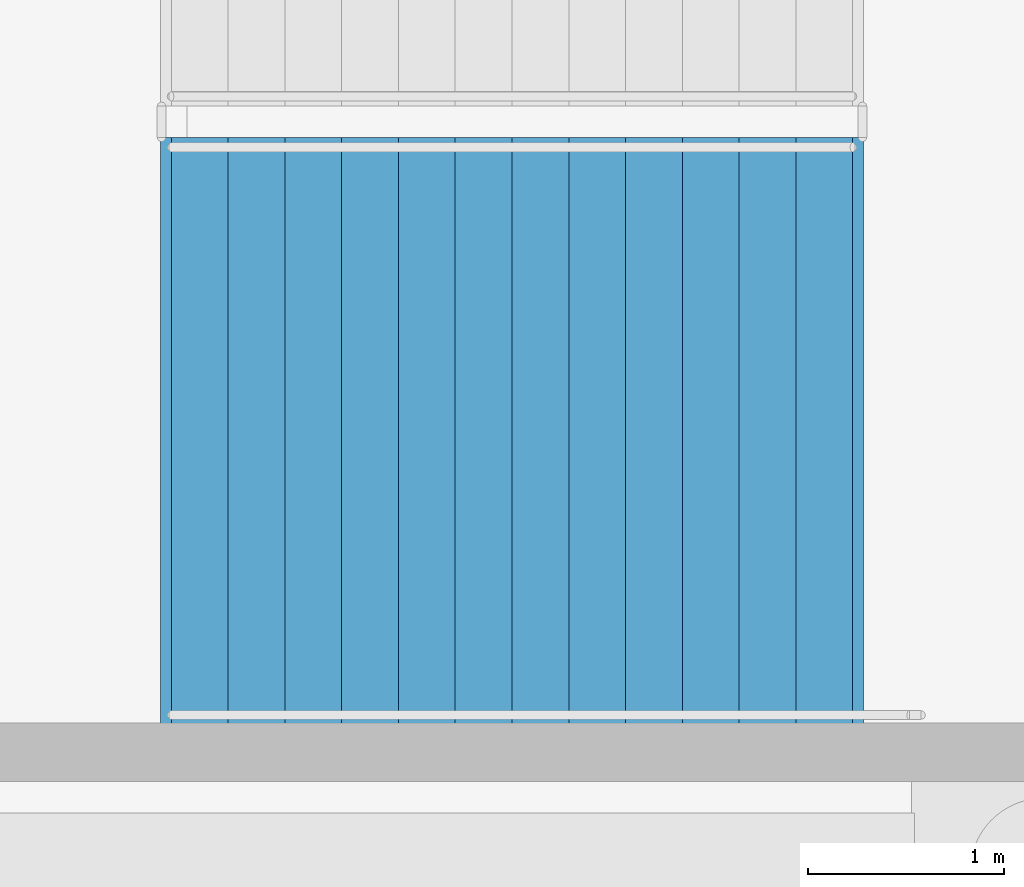
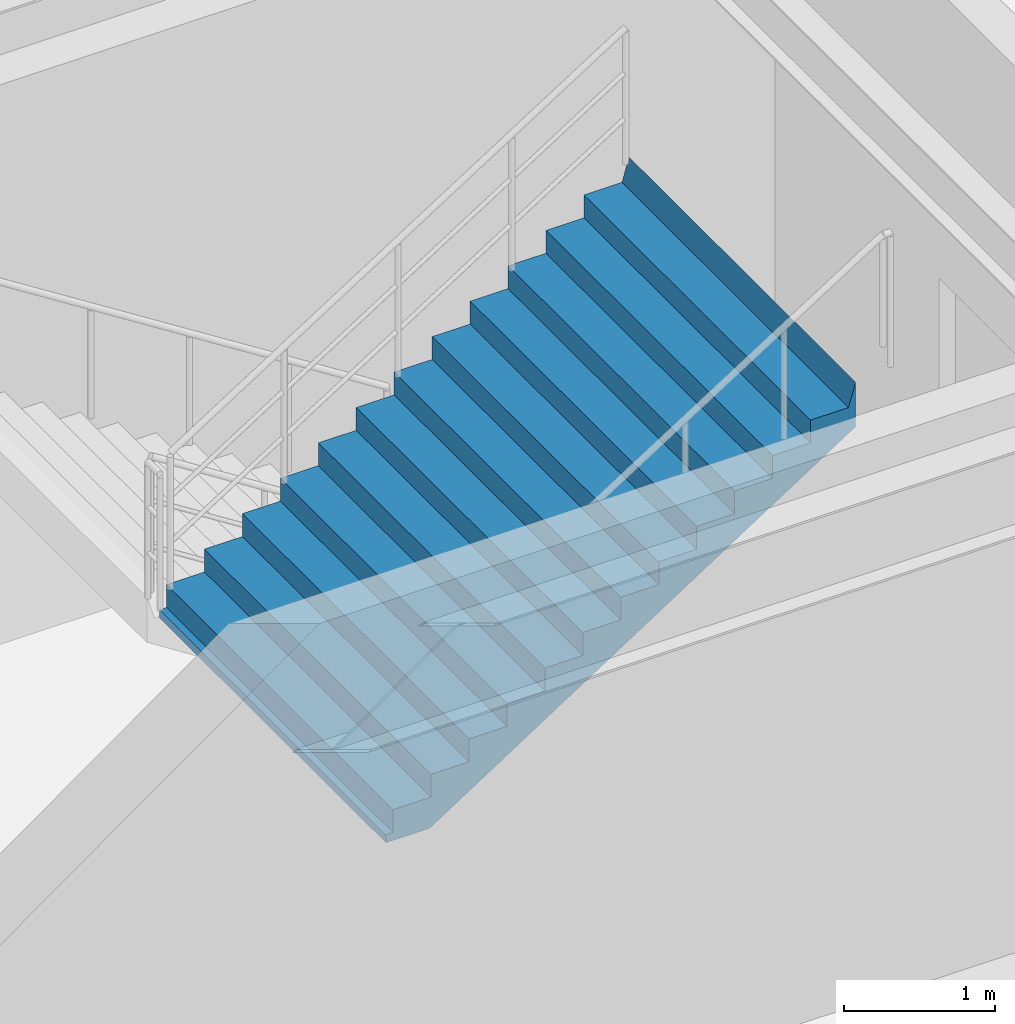
# One storey, part 58 of 68: 1 stair flight, 1 element without a shape of its own.
"""IFC4 building model written with IfcOpenShell, lengths in metres."""

from ifc_helpers import new_model, si_unit, direction, frame, origin, place, context, subcontext, project, spatial, polyline, outline, extrude, material, type_object, element, aggregate, save


model = new_model("IFC4")

# Units and contexts
model_context = context("Model", 3, precision=1e-05, world=origin(), true_north=direction((0.0, 1.0)))
body_context = subcontext(model_context, "Body", "Model", "MODEL_VIEW")
ifc_project = project(units=[si_unit("LENGTHUNIT", "METRE"), si_unit("AREAUNIT", "SQUARE_METRE"), si_unit("VOLUMEUNIT", "CUBIC_METRE"), si_unit("PLANEANGLEUNIT", "RADIAN"), si_unit("MASSUNIT", "GRAM", prefix="KILO")], contexts=[model_context])

# Site, building, storey
site_placement = place(None, origin())
site = spatial("IfcSite", under=ifc_project, at=site_placement, CompositionType="ELEMENT")
building_placement = place(site_placement, origin())
building = spatial("IfcBuilding", under=site, at=building_placement, Name="Cinderbank Siding Concert Hall", CompositionType="ELEMENT")
storey_placement = place(building_placement, frame((0.0, 0.0, -4.800048828125)))
storey = spatial("IfcBuildingStorey", under=building, at=storey_placement, Name="B1", CompositionType="ELEMENT", Elevation=-4.800048828125)

# Stair, stair flight
ifc_material = material(Name="Reinforced concrete AS 3600 N50 (50 MPa)", Category="concrete")
stair_type = type_object("IfcStairType", Name="STR-I Dogleg Exit Stair 3000mm", PredefinedType="HALF_TURN_STAIR", material=ifc_material)
stair_placement = place(storey_placement, origin())
stair = element("IfcStair", 1, at=stair_placement, inside=storey, type_object=stair_type, Name="B1 East Link Exit Stair ST-11", PredefinedType="HALF_TURN_STAIR")
stair_flight_type = type_object("IfcStairFlightType", Name="SFL-I Concrete Stair Flight 3000mm", PredefinedType="STRAIGHT", material=ifc_material)
stair_flight_placement = place(storey_placement, frame((156.219970703125, 83.050048828125, 2.400146484375), z_axis=(0.0, 0.0, 1.0), x_axis=(1.0, 0.0, 0.0)))
stair_flight = element("IfcStairFlight", 2, at=stair_flight_placement, type_object=stair_flight_type, Name="ST-11 flight 2", NumberOfRisers=13, NumberOfTreads=12, PredefinedType="STRAIGHT", RiserHeight=0.184615385, TreadLength=0.29, context=body_context, shape_type="SweptSolid", body=[
    extrude(outline(polyline([(0.0, 0.0), (0.0, 0.1845703125), (0.2900390625, 0.1845703125), (0.2900390625, 0.369140625), (0.580078125, 0.369140625), (0.580078125, 0.553955078125), (0.8701171875, 0.553955078125), (0.8701171875, 0.738525390625), (1.159912109375, 0.738525390625), (1.159912109375, 0.923095703125), (1.449951171875, 0.923095703125), (1.449951171875, 1.107666015625), (1.739990234375, 1.107666015625), (1.739990234375, 1.292236328125), (2.030029296875, 1.292236328125), (2.030029296875, 1.476806640625), (2.320068359375, 1.476806640625), (2.320068359375, 1.66162109375), (2.610107421875, 1.66162109375), (2.610107421875, 1.84619140625), (2.89990234375, 1.84619140625), (2.89990234375, 2.03076171875), (3.18994140625, 2.03076171875), (3.18994140625, 2.21533203125), (3.47998046875, 2.21533203125), (3.534912109375, 2.39990234375), (3.534912109375, 2.03759765625), (3.53466796875, 2.037841796875), (3.53466796875, 2.0380859375), (3.53466796875, 2.038330078125), (3.53466796875, 2.03857421875), (3.53466796875, 2.038818359375), (3.53466796875, 2.0390625), (3.53466796875, 2.039306640625), (3.53466796875, 2.03955078125), (3.53466796875, 2.039794921875), (3.53466796875, 2.0400390625), (3.53466796875, 2.040283203125), (3.53466796875, 2.04052734375), (3.534423828125, 2.04052734375), (3.534423828125, 2.040283203125), (3.534423828125, 2.0400390625), (3.534423828125, 2.039794921875), (3.534423828125, 2.03955078125), (3.534423828125, 2.039306640625), (3.534423828125, 2.0390625), (3.534423828125, 2.038818359375), (3.534423828125, 2.03857421875), (3.534423828125, 2.038330078125), (3.534423828125, 2.0380859375), (3.534423828125, 2.037841796875), (3.534423828125, 2.03759765625), (3.5341796875, 2.037841796875), (3.5341796875, 2.0380859375), (3.5341796875, 2.038330078125), (3.5341796875, 2.03857421875), (3.5341796875, 2.038818359375), (3.5341796875, 2.0390625), (3.5341796875, 2.039306640625), (3.5341796875, 2.03955078125), (3.5341796875, 2.039794921875), (3.5341796875, 2.0400390625), (3.5341796875, 2.040283203125), (3.5341796875, 2.04052734375), (3.533935546875, 2.04052734375), (3.533935546875, 2.040283203125), (3.533935546875, 2.0400390625), (3.533935546875, 2.039794921875), (3.533935546875, 2.03955078125), (3.533935546875, 2.039306640625), (3.533935546875, 2.0390625), (3.533935546875, 2.038818359375), (3.533935546875, 2.03857421875), (3.533935546875, 2.038330078125), (3.533935546875, 2.0380859375), (3.533935546875, 2.037841796875), (3.533935546875, 2.03759765625), (3.53369140625, 2.037841796875), (3.53369140625, 2.0380859375), (3.53369140625, 2.038330078125), (3.53369140625, 2.03857421875), (3.53369140625, 2.038818359375), (3.53369140625, 2.0390625), (3.53369140625, 2.039306640625), (3.53369140625, 2.03955078125), (3.53369140625, 2.039794921875), (3.53369140625, 2.0400390625), (3.53369140625, 2.040283203125), (3.53369140625, 2.04052734375), (3.533447265625, 2.04052734375), (3.533447265625, 2.040283203125), (3.533447265625, 2.0400390625), (3.533447265625, 2.039794921875), (3.533447265625, 2.03955078125), (3.533447265625, 2.039306640625), (3.533447265625, 2.0390625), (3.533447265625, 2.038818359375), (3.533447265625, 2.03857421875), (3.533447265625, 2.038330078125), (3.533447265625, 2.0380859375), (3.533447265625, 2.037841796875), (3.533447265625, 2.03759765625), (3.533203125, 2.037841796875), (3.533203125, 2.0380859375), (3.533203125, 2.038330078125), (3.533203125, 2.03857421875), (3.533203125, 2.038818359375), (3.533203125, 2.0390625), (3.533203125, 2.039306640625), (3.533203125, 2.03955078125), (3.533203125, 2.039794921875), (3.533203125, 2.0400390625), (3.533203125, 2.040283203125), (3.533203125, 2.04052734375), (3.532958984375, 2.04052734375), (3.532958984375, 2.040283203125), (3.532958984375, 2.0400390625), (3.532958984375, 2.039794921875), (3.532958984375, 2.03955078125), (3.532958984375, 2.039306640625), (3.532958984375, 2.0390625), (3.532958984375, 2.038818359375), (3.532958984375, 2.03857421875), (3.532958984375, 2.038330078125), (3.532958984375, 2.0380859375), (3.532958984375, 2.037841796875), (3.532958984375, 2.03759765625), (3.53271484375, 2.037841796875), (3.53271484375, 2.0380859375), (3.53271484375, 2.038330078125), (3.53271484375, 2.03857421875), (3.53271484375, 2.038818359375), (3.53271484375, 2.0390625), (3.53271484375, 2.039306640625), (3.53271484375, 2.03955078125), (3.53271484375, 2.039794921875), (3.53271484375, 2.0400390625), (3.53271484375, 2.040283203125), (3.53271484375, 2.04052734375), (3.532470703125, 2.04052734375), (3.532470703125, 2.040283203125), (3.532470703125, 2.0400390625), (3.532470703125, 2.039794921875), (3.532470703125, 2.03955078125), (3.532470703125, 2.039306640625), (3.532470703125, 2.0390625), (3.532470703125, 2.038818359375), (3.532470703125, 2.03857421875), (3.532470703125, 2.038330078125), (3.532470703125, 2.0380859375), (3.532470703125, 2.037841796875), (3.532470703125, 2.03759765625), (3.5322265625, 2.037841796875), (3.5322265625, 2.0380859375), (3.5322265625, 2.038330078125), (3.5322265625, 2.03857421875), (3.5322265625, 2.038818359375), (3.5322265625, 2.0390625), (3.5322265625, 2.039306640625), (3.5322265625, 2.03955078125), (3.5322265625, 2.039794921875), (3.5322265625, 2.0400390625), (3.5322265625, 2.040283203125), (3.5322265625, 2.04052734375), (3.531982421875, 2.04052734375), (3.531982421875, 2.040283203125), (3.531982421875, 2.0400390625), (3.531982421875, 2.039794921875), (3.531982421875, 2.03955078125), (3.531982421875, 2.039306640625), (3.531982421875, 2.0390625), (3.531982421875, 2.038818359375), (3.531982421875, 2.03857421875), (3.531982421875, 2.038330078125), (3.531982421875, 2.0380859375), (3.531982421875, 2.037841796875), (3.531982421875, 2.03759765625), (3.53173828125, 2.037841796875), (3.53173828125, 2.0380859375), (3.53173828125, 2.038330078125), (3.53173828125, 2.03857421875), (3.53173828125, 2.038818359375), (3.53173828125, 2.0390625), (3.53173828125, 2.039306640625), (3.53173828125, 2.03955078125), (3.53173828125, 2.039794921875), (3.53173828125, 2.0400390625), (3.53173828125, 2.040283203125), (3.53173828125, 2.04052734375), (3.531494140625, 2.04052734375), (3.531494140625, 2.040283203125), (3.531494140625, 2.0400390625), (3.531494140625, 2.039794921875), (3.531494140625, 2.03955078125), (3.531494140625, 2.039306640625), (3.531494140625, 2.0390625), (3.531494140625, 2.038818359375), (3.531494140625, 2.03857421875), (3.531494140625, 2.038330078125), (3.531494140625, 2.0380859375), (3.531494140625, 2.037841796875), (3.531494140625, 2.03759765625), (3.53125, 2.037841796875), (3.53125, 2.0380859375), (3.53125, 2.038330078125), (3.53125, 2.03857421875), (3.53125, 2.038818359375), (3.53125, 2.0390625), (3.53125, 2.039306640625), (3.53125, 2.03955078125), (3.53125, 2.039794921875), (3.53125, 2.0400390625), (3.53125, 2.040283203125), (3.53125, 2.04052734375), (3.531005859375, 2.04052734375), (3.531005859375, 2.040283203125), (3.531005859375, 2.0400390625), (3.531005859375, 2.039794921875), (3.531005859375, 2.03955078125), (3.531005859375, 2.039306640625), (3.531005859375, 2.0390625), (3.531005859375, 2.038818359375), (3.531005859375, 2.03857421875), (3.531005859375, 2.038330078125), (3.531005859375, 2.0380859375), (3.531005859375, 2.037841796875), (3.531005859375, 2.03759765625), (3.53076171875, 2.037841796875), (3.53076171875, 2.0380859375), (3.53076171875, 2.038330078125), (3.53076171875, 2.03857421875), (3.53076171875, 2.038818359375), (3.53076171875, 2.0390625), (3.53076171875, 2.039306640625), (3.53076171875, 2.03955078125), (3.53076171875, 2.039794921875), (3.53076171875, 2.0400390625), (3.53076171875, 2.040283203125), (3.53076171875, 2.04052734375), (3.530517578125, 2.04052734375), (3.530517578125, 2.040283203125), (3.530517578125, 2.0400390625), (3.530517578125, 2.039794921875), (3.530517578125, 2.03955078125), (3.530517578125, 2.039306640625), (3.530517578125, 2.0390625), (3.530517578125, 2.038818359375), (3.530517578125, 2.03857421875), (3.530517578125, 2.038330078125), (3.530517578125, 2.0380859375), (3.530517578125, 2.037841796875), (3.530517578125, 2.03759765625), (3.5302734375, 2.037841796875), (3.5302734375, 2.0380859375), (3.5302734375, 2.038330078125), (3.5302734375, 2.03857421875), (3.5302734375, 2.038818359375), (3.5302734375, 2.0390625), (3.5302734375, 2.039306640625), (3.5302734375, 2.03955078125), (3.5302734375, 2.039794921875), (3.5302734375, 2.0400390625), (3.5302734375, 2.040283203125), (3.5302734375, 2.04052734375), (3.530029296875, 2.04052734375), (3.530029296875, 2.040283203125), (3.530029296875, 2.0400390625), (3.530029296875, 2.039794921875), (3.530029296875, 2.03955078125), (3.530029296875, 2.039306640625), (3.530029296875, 2.0390625), (3.530029296875, 2.038818359375), (3.530029296875, 2.03857421875), (3.530029296875, 2.038330078125), (3.530029296875, 2.0380859375), (3.530029296875, 2.037841796875), (3.530029296875, 2.03759765625), (3.52978515625, 2.037841796875), (3.52978515625, 2.0380859375), (3.52978515625, 2.038330078125), (3.52978515625, 2.03857421875), (3.52978515625, 2.038818359375), (3.52978515625, 2.0390625), (3.52978515625, 2.039306640625), (3.52978515625, 2.03955078125), (3.52978515625, 2.039794921875), (3.52978515625, 2.0400390625), (3.52978515625, 2.040283203125), (3.52978515625, 2.04052734375), (3.529541015625, 2.04052734375), (3.529541015625, 2.040283203125), (3.529541015625, 2.0400390625), (3.529541015625, 2.039794921875), (3.529541015625, 2.03955078125), (3.529541015625, 2.039306640625), (3.529541015625, 2.0390625), (3.529541015625, 2.038818359375), (3.529541015625, 2.03857421875), (3.529541015625, 2.038330078125), (3.529541015625, 2.0380859375), (3.529541015625, 2.037841796875), (3.529541015625, 2.03759765625), (3.529296875, 2.037841796875), (3.529296875, 2.0380859375), (3.529296875, 2.038330078125), (3.529296875, 2.03857421875), (3.529296875, 2.038818359375), (3.529296875, 2.0390625), (3.529296875, 2.039306640625), (3.529296875, 2.03955078125), (3.529296875, 2.039794921875), (3.529296875, 2.0400390625), (3.529296875, 2.040283203125), (3.529296875, 2.04052734375), (3.529052734375, 2.04052734375), (3.529052734375, 2.040283203125), (3.529052734375, 2.0400390625), (3.529052734375, 2.039794921875), (3.529052734375, 2.03955078125), (3.529052734375, 2.039306640625), (3.529052734375, 2.0390625), (3.529052734375, 2.038818359375), (3.529052734375, 2.03857421875), (3.529052734375, 2.038330078125), (3.529052734375, 2.0380859375), (3.529052734375, 2.037841796875), (3.529052734375, 2.03759765625), (3.52880859375, 2.037841796875), (3.52880859375, 2.0380859375), (3.52880859375, 2.038330078125), (3.52880859375, 2.03857421875), (3.52880859375, 2.038818359375), (3.52880859375, 2.0390625), (3.52880859375, 2.039306640625), (3.52880859375, 2.03955078125), (3.52880859375, 2.039794921875), (3.52880859375, 2.0400390625), (3.52880859375, 2.040283203125), (3.52880859375, 2.04052734375), (3.528564453125, 2.04052734375), (3.528564453125, 2.040283203125), (3.528564453125, 2.0400390625), (3.528564453125, 2.039794921875), (3.528564453125, 2.03955078125), (3.528564453125, 2.039306640625), (3.528564453125, 2.0390625), (3.528564453125, 2.038818359375), (3.528564453125, 2.03857421875), (3.528564453125, 2.038330078125), (3.528564453125, 2.0380859375), (3.528564453125, 2.037841796875), (3.528564453125, 2.03759765625), (0.279052734375, -0.06396484375), (-0.048583984375, -0.063720703125), (-0.048583984375, -0.0634765625), (-0.048583984375, -0.063232421875), (-0.048583984375, -0.06298828125), (-0.048583984375, -0.062744140625), (-0.048583984375, -0.0625), (-0.048583984375, -0.062255859375), (-0.048583984375, -0.06201171875), (-0.048583984375, -0.061767578125), (-0.048583984375, -0.0615234375), (-0.048583984375, -0.061279296875), (-0.048583984375, -0.06103515625), (-0.048828125, -0.06103515625), (-0.048828125, -0.061279296875), (-0.048828125, -0.0615234375), (-0.048828125, -0.061767578125), (-0.048828125, -0.06201171875), (-0.048828125, -0.062255859375), (-0.048828125, -0.0625), (-0.048828125, -0.062744140625), (-0.048828125, -0.06298828125), (-0.048828125, -0.063232421875), (-0.048828125, -0.0634765625), (-0.048828125, -0.063720703125), (-0.048828125, -0.06396484375), (-0.049072265625, -0.063720703125), (-0.049072265625, -0.0634765625), (-0.049072265625, -0.063232421875), (-0.049072265625, -0.06298828125), (-0.049072265625, -0.062744140625), (-0.049072265625, -0.0625), (-0.049072265625, -0.062255859375), (-0.049072265625, -0.06201171875), (-0.049072265625, -0.061767578125), (-0.049072265625, -0.0615234375), (-0.049072265625, -0.061279296875), (-0.049072265625, -0.06103515625), (-0.04931640625, -0.06103515625), (-0.04931640625, -0.061279296875), (-0.04931640625, -0.0615234375), (-0.04931640625, -0.061767578125), (-0.04931640625, -0.06201171875), (-0.04931640625, -0.062255859375), (-0.04931640625, -0.0625), (-0.04931640625, -0.062744140625), (-0.04931640625, -0.06298828125), (-0.04931640625, -0.063232421875), (-0.04931640625, -0.0634765625), (-0.04931640625, -0.063720703125), (-0.04931640625, -0.06396484375), (-0.049560546875, -0.063720703125), (-0.049560546875, -0.0634765625), (-0.049560546875, -0.063232421875), (-0.049560546875, -0.06298828125), (-0.049560546875, -0.062744140625), (-0.049560546875, -0.0625), (-0.049560546875, -0.062255859375), (-0.049560546875, -0.06201171875), (-0.049560546875, -0.061767578125), (-0.049560546875, -0.0615234375), (-0.049560546875, -0.061279296875), (-0.049560546875, -0.06103515625), (-0.0498046875, -0.06103515625), (-0.0498046875, -0.061279296875), (-0.0498046875, -0.0615234375), (-0.0498046875, -0.061767578125), (-0.0498046875, -0.06201171875), (-0.0498046875, -0.062255859375), (-0.0498046875, -0.0625), (-0.0498046875, -0.062744140625), (-0.0498046875, -0.06298828125), (-0.0498046875, -0.063232421875), (-0.0498046875, -0.0634765625), (-0.0498046875, -0.063720703125), (-0.0498046875, -0.06396484375), (-0.050048828125, -0.063720703125), (-0.050048828125, -0.0634765625), (-0.050048828125, -0.063232421875), (-0.050048828125, -0.06298828125), (-0.050048828125, -0.062744140625), (-0.050048828125, -0.0625), (-0.050048828125, -0.062255859375), (-0.050048828125, -0.06201171875), (-0.050048828125, -0.061767578125), (-0.050048828125, -0.0615234375), (-0.050048828125, -0.061279296875), (-0.050048828125, -0.06103515625), (-0.05029296875, -0.06103515625), (-0.05029296875, -0.061279296875), (-0.05029296875, -0.0615234375), (-0.05029296875, -0.061767578125), (-0.05029296875, -0.06201171875), (-0.05029296875, -0.062255859375), (-0.05029296875, -0.0625), (-0.05029296875, -0.062744140625), (-0.05029296875, -0.06298828125), (-0.05029296875, -0.063232421875), (-0.05029296875, -0.0634765625), (-0.05029296875, -0.063720703125), (-0.05029296875, -0.06396484375), (-0.050537109375, -0.063720703125), (-0.050537109375, -0.0634765625), (-0.050537109375, -0.063232421875), (-0.050537109375, -0.06298828125), (-0.050537109375, -0.062744140625), (-0.050537109375, -0.0625), (-0.050537109375, -0.062255859375), (-0.050537109375, -0.06201171875), (-0.050537109375, -0.061767578125), (-0.050537109375, -0.0615234375), (-0.050537109375, -0.061279296875), (-0.050537109375, -0.06103515625), (-0.05078125, -0.06103515625), (-0.05078125, -0.061279296875), (-0.05078125, -0.0615234375), (-0.05078125, -0.061767578125), (-0.05078125, -0.06201171875), (-0.05078125, -0.062255859375), (-0.05078125, -0.0625), (-0.05078125, -0.062744140625), (-0.05078125, -0.06298828125), (-0.05078125, -0.063232421875), (-0.05078125, -0.0634765625), (-0.05078125, -0.063720703125), (-0.05078125, -0.06396484375), (-0.051025390625, -0.063720703125), (-0.051025390625, -0.0634765625), (-0.051025390625, -0.063232421875), (-0.051025390625, -0.06298828125), (-0.051025390625, -0.062744140625), (-0.051025390625, -0.0625), (-0.051025390625, -0.062255859375), (-0.051025390625, -0.06201171875), (-0.051025390625, -0.061767578125), (-0.051025390625, -0.0615234375), (-0.051025390625, -0.061279296875), (-0.051025390625, -0.06103515625), (-0.05126953125, -0.06103515625), (-0.05126953125, -0.061279296875), (-0.05126953125, -0.0615234375), (-0.05126953125, -0.061767578125), (-0.05126953125, -0.06201171875), (-0.05126953125, -0.062255859375), (-0.05126953125, -0.0625), (-0.05126953125, -0.062744140625), (-0.05126953125, -0.06298828125), (-0.05126953125, -0.063232421875), (-0.05126953125, -0.0634765625), (-0.05126953125, -0.063720703125), (-0.05126953125, -0.06396484375), (-0.051513671875, -0.063720703125), (-0.051513671875, -0.0634765625), (-0.051513671875, -0.063232421875), (-0.051513671875, -0.06298828125), (-0.051513671875, -0.062744140625), (-0.051513671875, -0.0625), (-0.051513671875, -0.062255859375), (-0.051513671875, -0.06201171875), (-0.051513671875, -0.061767578125), (-0.051513671875, -0.0615234375), (-0.051513671875, -0.061279296875), (-0.051513671875, -0.06103515625), (-0.0517578125, -0.06103515625), (-0.0517578125, -0.061279296875), (-0.0517578125, -0.0615234375), (-0.0517578125, -0.061767578125), (-0.0517578125, -0.06201171875), (-0.0517578125, -0.062255859375), (-0.0517578125, -0.0625), (-0.0517578125, -0.062744140625), (-0.0517578125, -0.06298828125), (-0.0517578125, -0.063232421875), (-0.0517578125, -0.0634765625), (-0.0517578125, -0.063720703125), (-0.0517578125, -0.06396484375), (-0.052001953125, -0.063720703125), (-0.052001953125, -0.0634765625), (-0.052001953125, -0.063232421875), (-0.052001953125, -0.06298828125), (-0.052001953125, -0.062744140625), (-0.052001953125, -0.0625), (-0.052001953125, -0.062255859375), (-0.052001953125, -0.06201171875), (-0.052001953125, -0.061767578125), (-0.052001953125, -0.0615234375), (-0.052001953125, -0.061279296875), (-0.052001953125, -0.06103515625), (-0.05224609375, -0.06103515625), (-0.05224609375, -0.061279296875), (-0.05224609375, -0.0615234375), (-0.05224609375, -0.061767578125), (-0.05224609375, -0.06201171875), (-0.05224609375, -0.062255859375), (-0.05224609375, -0.0625), (-0.05224609375, -0.062744140625), (-0.05224609375, -0.06298828125), (-0.05224609375, -0.063232421875), (-0.05224609375, -0.0634765625), (-0.05224609375, -0.063720703125), (-0.05224609375, -0.06396484375), (-0.052490234375, -0.063720703125), (-0.052490234375, -0.0634765625), (-0.052490234375, -0.063232421875), (-0.052490234375, -0.06298828125), (-0.052490234375, -0.062744140625), (-0.052490234375, -0.0625), (-0.052490234375, -0.062255859375), (-0.052490234375, -0.06201171875), (-0.052490234375, -0.061767578125), (-0.052490234375, -0.0615234375), (-0.052490234375, -0.061279296875), (-0.052490234375, -0.06103515625), (-0.052734375, -0.06103515625), (-0.052734375, -0.061279296875), (-0.052734375, -0.0615234375), (-0.052734375, -0.061767578125), (-0.052734375, -0.06201171875), (-0.052734375, -0.062255859375), (-0.052734375, -0.0625), (-0.052734375, -0.062744140625), (-0.052734375, -0.06298828125), (-0.052734375, -0.063232421875), (-0.052734375, -0.0634765625), (-0.052734375, -0.063720703125), (-0.052734375, -0.06396484375), (-0.052978515625, -0.063720703125), (-0.052978515625, -0.0634765625), (-0.052978515625, -0.063232421875), (-0.052978515625, -0.06298828125), (-0.052978515625, -0.062744140625), (-0.052978515625, -0.0625), (-0.052978515625, -0.062255859375), (-0.052978515625, -0.06201171875), (-0.052978515625, -0.061767578125), (-0.052978515625, -0.0615234375), (-0.052978515625, -0.061279296875), (-0.052978515625, -0.06103515625), (-0.05322265625, -0.06103515625), (-0.05322265625, -0.061279296875), (-0.05322265625, -0.0615234375), (-0.05322265625, -0.061767578125), (-0.05322265625, -0.06201171875), (-0.05322265625, -0.062255859375), (-0.05322265625, -0.0625), (-0.05322265625, -0.062744140625), (-0.05322265625, -0.06298828125), (-0.05322265625, -0.063232421875), (-0.05322265625, -0.0634765625), (-0.05322265625, -0.063720703125), (-0.05322265625, -0.06396484375), (-0.053466796875, -0.063720703125), (-0.053466796875, -0.0634765625), (-0.053466796875, -0.063232421875), (-0.053466796875, -0.06298828125), (-0.053466796875, -0.062744140625), (-0.053466796875, -0.0625), (-0.053466796875, -0.062255859375), (-0.053466796875, -0.06201171875), (-0.053466796875, -0.061767578125), (-0.053466796875, -0.0615234375), (-0.053466796875, -0.061279296875), (-0.053466796875, -0.06103515625), (-0.0537109375, -0.06103515625), (-0.0537109375, -0.061279296875), (-0.0537109375, -0.0615234375), (-0.0537109375, -0.061767578125), (-0.0537109375, -0.06201171875), (-0.0537109375, -0.062255859375), (-0.0537109375, -0.0625), (-0.0537109375, -0.062744140625), (-0.0537109375, -0.06298828125), (-0.0537109375, -0.063232421875), (-0.0537109375, -0.0634765625), (-0.0537109375, -0.063720703125), (-0.0537109375, -0.06396484375), (-0.053955078125, -0.063720703125), (-0.053955078125, -0.0634765625), (-0.053955078125, -0.063232421875), (-0.053955078125, -0.06298828125), (-0.053955078125, -0.062744140625), (-0.053955078125, -0.0625), (-0.053955078125, -0.062255859375), (-0.053955078125, -0.06201171875), (-0.053955078125, -0.061767578125), (-0.053955078125, -0.0615234375), (-0.053955078125, -0.061279296875), (-0.053955078125, -0.06103515625), (-0.05419921875, -0.06103515625), (-0.05419921875, -0.061279296875), (-0.05419921875, -0.0615234375), (-0.05419921875, -0.061767578125), (-0.05419921875, -0.06201171875), (-0.05419921875, -0.062255859375), (-0.05419921875, -0.0625), (-0.05419921875, -0.062744140625), (-0.05419921875, -0.06298828125), (-0.05419921875, -0.063232421875), (-0.05419921875, -0.0634765625), (-0.05419921875, -0.063720703125), (-0.05419921875, -0.06396484375), (-0.054443359375, -0.063720703125), (-0.054443359375, -0.0634765625), (-0.054443359375, -0.063232421875), (-0.054443359375, -0.06298828125), (-0.054443359375, -0.062744140625), (-0.054443359375, -0.0625), (-0.054443359375, -0.062255859375), (-0.054443359375, -0.06201171875), (-0.054443359375, -0.061767578125), (-0.054443359375, -0.0615234375), (-0.054443359375, -0.061279296875), (-0.054443359375, -0.06103515625), (-0.0546875, -0.06103515625), (-0.0546875, -0.061279296875), (-0.0546875, -0.0615234375), (-0.0546875, -0.061767578125), (-0.0546875, -0.06201171875), (-0.0546875, -0.062255859375), (-0.0546875, -0.0625), (-0.0546875, -0.062744140625), (-0.0546875, -0.06298828125), (-0.0546875, -0.063232421875), (-0.0546875, -0.0634765625), (-0.0546875, -0.063720703125), (-0.0546875, -0.06396484375), (-0.054931640625, -0.06396484375), (-0.054931640625, 0.0), (0.0, 0.0)])), frame((0.0, 1.5, 0.0), z_axis=(0.0, -1.0, 0.0), x_axis=(1.0, 0.0, 0.0)), (0.0, 0.0, 1.0), 3.0),
])
aggregate(stair, [stair_flight])

save(model, "model.ifc")
